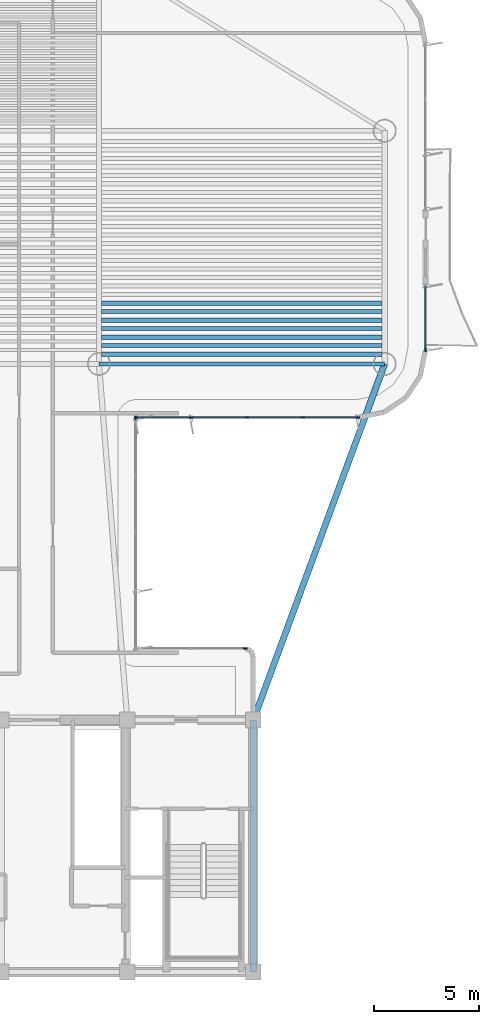
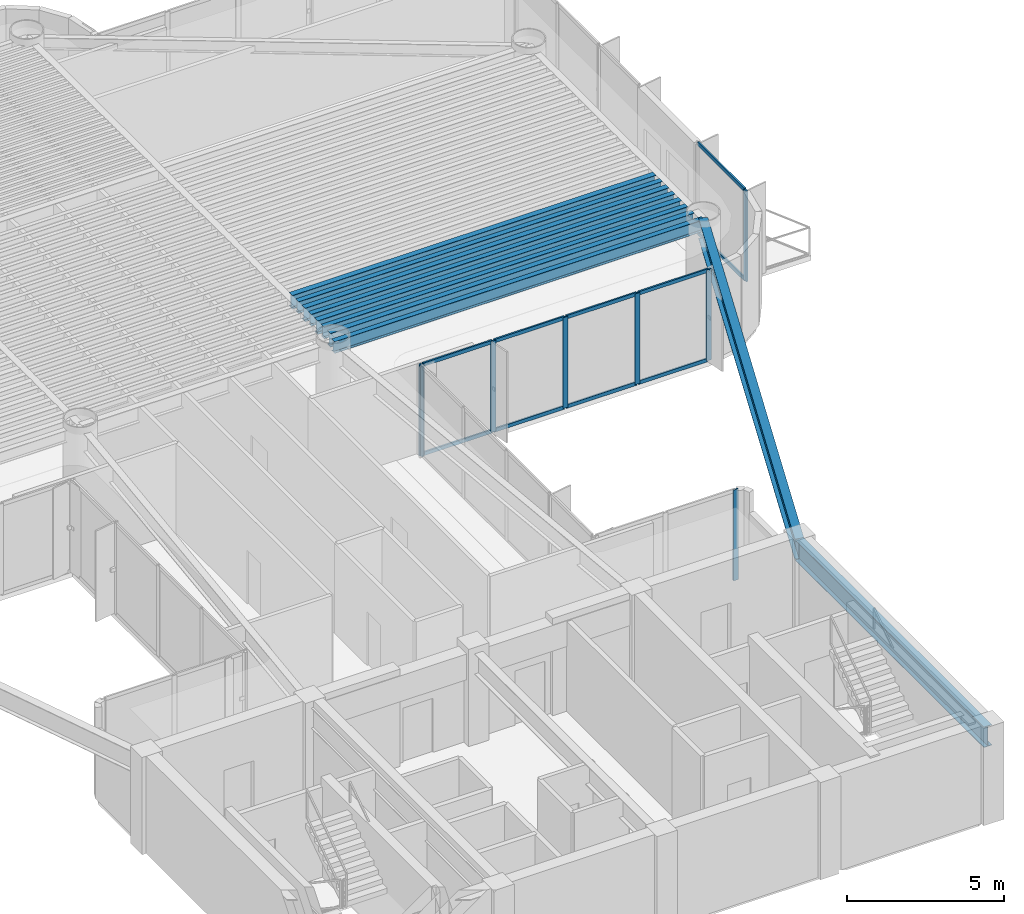
# One storey, part 4 of 13: 18 members, 10 beams, 4 elements without a shape of their own.
"""IFC4 building model written with IfcOpenShell, lengths in metres."""

from ifc_helpers import new_model, si_unit, direction, frame, origin, origin_2d, place, context, subcontext, project, spatial, rectangle, i_section, extrude, source, transform, mapped, material, layer, layer_set, material_profile, profile_set, type_object, element, aggregate, save


model = new_model("IFC4")

# Units and contexts
model_context = context("Model", 3, precision=1e-05, world=origin(), true_north=direction((0.0, 1.0)))
body_context = subcontext(model_context, "Body", "Model", "MODEL_VIEW")
ifc_project = project(units=[si_unit("LENGTHUNIT", "METRE"), si_unit("AREAUNIT", "SQUARE_METRE"), si_unit("VOLUMEUNIT", "CUBIC_METRE"), si_unit("PLANEANGLEUNIT", "RADIAN"), si_unit("MASSUNIT", "GRAM", prefix="KILO")], contexts=[model_context])

# Site, building, storey
site_placement = place(None, origin())
site = spatial("IfcSite", under=ifc_project, at=site_placement, CompositionType="ELEMENT")
building_placement = place(site_placement, origin())
building = spatial("IfcBuilding", under=site, at=building_placement, Name="Brelvock Crest Care Tower", CompositionType="ELEMENT")
storey_placement = place(building_placement, frame((0.0, 0.0, 190.43994140625)))
storey = spatial("IfcBuildingStorey", under=building, at=storey_placement, Name="L48", CompositionType="ELEMENT", Elevation=190.43994140625)

# Beams
ifc_material_1 = material(Name="Steel Grade 350", Category="steel")
ifc_material_profile_1 = material_profile(ifc_material_1, i_section(OverallWidth=0.300048828125, OverallDepth=0.800048828125, WebThickness=0.013916015625, FlangeThickness=0.02197265625, at=origin_2d()), Name="800WB192")
ifc_profile_set_1 = profile_set([ifc_material_profile_1], Name="Steel Grade 350")
beam_type_1 = type_object("IfcBeamType", Name="BM-G5", PredefinedType="BEAM", material=ifc_profile_set_1)
shared_shape_1 = source(origin(), body_context, "Body", "SweptSolid", [
    extrude(i_section(OverallWidth=0.300048828125, OverallDepth=0.800048828125, WebThickness=0.013916015625, FlangeThickness=0.02197265625, at=origin_2d()), origin(), (0.0, 0.0, 1.0), 12.0),
])
beam_1_placement = place(storey_placement, frame((48.0, 6.0, 3.130126953125), z_axis=(0.0, 1.0, 0.0), x_axis=(-1.0, 0.0, 0.0)))
element("IfcBeam", 1, at=beam_1_placement, inside=storey, type_object=beam_type_1, Name="BM-COREX-L48-5", PredefinedType="BEAM", context=body_context, shape_type="MappedRepresentation", body=[
    mapped(shared_shape_1, transform((0.0, 0.0, 0.0), x_axis=(1.0, 0.0, 0.0), y_axis=(0.0, 1.0, 0.0), z_axis=(0.0, 0.0, 1.0), scale=1.0)),
])
ifc_material_profile_2 = material_profile(ifc_material_1, i_section(OverallWidth=0.208984375, OverallDepth=0.532958984375, WebThickness=0.01025390625, FlangeThickness=0.015625, FilletRadius=0.013916015625, at=origin_2d()), Name="530UB92.4")
ifc_profile_set_2 = profile_set([ifc_material_profile_2], Name="Steel Grade 350")
beam_type_2 = type_object("IfcBeamType", Name="BM-G2", PredefinedType="BEAM", material=ifc_profile_set_2)
shared_shape_2 = source(origin(), body_context, "Body", "SweptSolid", [
    extrude(i_section(OverallWidth=0.208984375, OverallDepth=0.532958984375, WebThickness=0.01025390625, FlangeThickness=0.015625, FilletRadius=0.013916015625, at=origin_2d()), origin(), (0.0, 0.0, 1.0), 13.3701171875),
])
for number, where, z_axis, x_axis, name in (
    (2, (40.764892578125, 35.416259765625, 3.263671875), (1.0, 0.0, 0.0), (0.0, 1.0, 0.0), "BM-JE-L48-1"),
    (3, (40.764892578125, 36.2265625, 3.263671875), (1.0, 0.0, 0.0), (0.0, 1.0, 0.0), "BM-JE-L48-3"),
    (4, (40.764892578125, 37.036865234375, 3.263671875), (1.0, 0.0, 0.0), (0.0, 1.0, 0.0), "BM-JE-L48-5"),
    (5, (40.764892578125, 37.84716796875, 3.263671875), (1.0, 0.0, 0.0), (0.0, 1.0, 0.0), "BM-JE-L48-7"),
):
    element("IfcBeam", number, at=place(storey_placement, frame(where, z_axis=z_axis, x_axis=x_axis)), inside=storey, type_object=beam_type_2, Name=name, PredefinedType="BEAM", context=body_context, shape_type="MappedRepresentation", body=[
        mapped(shared_shape_2, transform((0.0, 0.0, 0.0), x_axis=(1.0, 0.0, 0.0), y_axis=(0.0, 1.0, 0.0), z_axis=(0.0, 0.0, 1.0), scale=1.0)),
    ])
ifc_material_profile_3 = material_profile(ifc_material_1, i_section(OverallWidth=0.19091796875, OverallDepth=0.4599609375, WebThickness=0.010009765625, FlangeThickness=0.01611328125, FilletRadius=0.011474609375, at=origin_2d()), Name="460UB82.1")
ifc_profile_set_3 = profile_set([ifc_material_profile_3], Name="Steel Grade 350")
beam_type_3 = type_object("IfcBeamType", Name="BM-G3", PredefinedType="BEAM", material=ifc_profile_set_3)
shared_shape_3 = source(origin(), body_context, "Body", "SweptSolid", [
    extrude(i_section(OverallWidth=0.19091796875, OverallDepth=0.4599609375, WebThickness=0.010009765625, FlangeThickness=0.01611328125, FilletRadius=0.011474609375, at=origin_2d()), origin(), (0.0, 0.0, 1.0), 13.3701171875),
])
for number, where, z_axis, x_axis, name in (
    (6, (40.764892578125, 35.8212890625, 3.300048828125), (1.0, 0.0, 0.0), (0.0, 1.0, 0.0), "BM-JE-L48-2"),
    (7, (40.764892578125, 36.631591796875, 3.300048828125), (1.0, 0.0, 0.0), (0.0, 1.0, 0.0), "BM-JE-L48-4"),
    (8, (40.764892578125, 37.44189453125, 3.300048828125), (1.0, 0.0, 0.0), (0.0, 1.0, 0.0), "BM-JE-L48-6"),
):
    element("IfcBeam", number, at=place(storey_placement, frame(where, z_axis=z_axis, x_axis=x_axis)), inside=storey, type_object=beam_type_3, Name=name, PredefinedType="BEAM", context=body_context, shape_type="MappedRepresentation", body=[
        mapped(shared_shape_3, transform((0.0, 0.0, 0.0), x_axis=(1.0, 0.0, 0.0), y_axis=(0.0, 1.0, 0.0), z_axis=(0.0, 0.0, 1.0), scale=1.0)),
    ])
ifc_material_profile_4 = material_profile(ifc_material_1, i_section(OverallWidth=0.19091796875, OverallDepth=0.4599609375, WebThickness=0.010009765625, FlangeThickness=0.01611328125, FilletRadius=0.011474609375, at=origin_2d()), Name="460UB82.1")
ifc_profile_set_4 = profile_set([ifc_material_profile_4], Name="Steel Grade 350")
beam_type_4 = type_object("IfcBeamType", Name="BM-SP2", PredefinedType="SPANDREL", material=ifc_profile_set_4)
shared_shape_4 = source(origin(), body_context, "Body", "SweptSolid", [
    extrude(i_section(OverallWidth=0.19091796875, OverallDepth=0.4599609375, WebThickness=0.010009765625, FlangeThickness=0.01611328125, FilletRadius=0.011474609375, at=origin_2d()), origin(), (0.0, 0.0, 1.0), 13.60009765625),
])
beam_2_placement = place(storey_placement, frame((40.64990234375, 34.949951171875, 3.300048828125), z_axis=(1.0, 0.0, 0.0), x_axis=(0.0, 1.0, 0.0)))
element("IfcBeam", 9, at=beam_2_placement, inside=storey, type_object=beam_type_4, Name="BM-TWR-L48-04", PredefinedType="SPANDREL", context=body_context, shape_type="MappedRepresentation", body=[
    mapped(shared_shape_4, transform((0.0, 0.0, 0.0), x_axis=(1.0, 0.0, 0.0), y_axis=(0.0, 1.0, 0.0), z_axis=(0.0, 0.0, 1.0), scale=1.0)),
])
shared_shape_5 = source(origin(), body_context, "Body", "SweptSolid", [
    extrude(i_section(OverallWidth=0.300048828125, OverallDepth=0.800048828125, WebThickness=0.013916015625, FlangeThickness=0.02197265625, at=origin_2d()), origin(), (0.0, 0.0, 1.0), 18.0654296875),
])
beam_3_placement = place(storey_placement, frame((48.0, 18.0, 3.130126953125), z_axis=(0.345962741309, 0.938248251597, 0.0), x_axis=(-0.938248251597, 0.345962741309, 0.0)))
element("IfcBeam", 10, at=beam_3_placement, inside=storey, type_object=beam_type_1, Name="BM-THRO-E-L48", PredefinedType="BEAM", context=body_context, shape_type="MappedRepresentation", body=[
    mapped(shared_shape_5, transform((0.0, 0.0, 0.0), x_axis=(1.0, 0.0, 0.0), y_axis=(0.0, 1.0, 0.0), z_axis=(0.0, 0.0, 1.0), scale=1.0)),
])

# Curtain wall, member
ifc_material_2 = material(Name="Dark Glass Double Glazed Low-E", Category="glass")
ifc_layer = layer(ifc_material_2, 0.22509765625, Name="CWS-4")
ifc_layer_set = layer_set([ifc_layer], Name="Dark Glass Double Glazed Low-E")
curtain_wall_type = type_object("IfcCurtainWallType", Name="CWS-4", PredefinedType="NOTDEFINED", material=ifc_layer_set)
curtain_wall_1_placement = place(storey_placement, origin())
curtain_wall_1 = element("IfcCurtainWall", 11, at=curtain_wall_1_placement, inside=storey, type_object=curtain_wall_type, Name="L48 Curtain Wall E39B", PredefinedType="NOTDEFINED")
ifc_material_3 = material(Name="Aluminium 6063-T6", Category="aluminium")
ifc_material_profile_5 = material_profile(ifc_material_3, rectangle(XDim=0.06005859375, YDim=0.179931640625, at=origin_2d()), Name="ALU60x180")
ifc_profile_set_5 = profile_set([ifc_material_profile_5], Name="Aluminium 6063-T6")
member_type_1 = type_object("IfcMemberType", Name="CWM-2", PredefinedType="MULLION", material=ifc_profile_set_5)
shared_shape_6 = source(origin(), body_context, "Body", "SweptSolid", [
    extrude(rectangle(XDim=0.06005859375, YDim=0.179931640625, at=origin_2d()), origin(), (0.0, 0.0, 1.0), 3.530029296875),
])
member_1_placement = place(storey_placement, frame((56.199951171875, 35.6298828125, 0.0), z_axis=(0.0, 0.0, 1.0), x_axis=(1.0, 0.0, 0.0)))
member_1 = element("IfcMember", 12, at=member_1_placement, type_object=member_type_1, Name="CW-4 mullion 2", PredefinedType="MULLION", context=body_context, shape_type="MappedRepresentation", body=[
    mapped(shared_shape_6, transform((0.0, 0.0, 0.0), x_axis=(1.0, 0.0, 0.0), y_axis=(0.0, 1.0, 0.0), z_axis=(0.0, 0.0, 1.0), scale=1.0)),
])

# Curtain wall, members
curtain_wall_2_placement = place(storey_placement, origin())
curtain_wall_2 = element("IfcCurtainWall", 13, at=curtain_wall_2_placement, inside=storey, type_object=curtain_wall_type, Name="L48 Curtain Wall E44", PredefinedType="NOTDEFINED")
member_2_placement = place(storey_placement, frame((52.969970703125, 32.39990234375, 0.0), z_axis=(0.0, 0.0, 1.0), x_axis=(0.0, -1.0, 0.0)))
member_2 = element("IfcMember", 14, at=member_2_placement, type_object=member_type_1, Name="CW-4 mullion 1", PredefinedType="MULLION", context=body_context, shape_type="MappedRepresentation", body=[
    mapped(shared_shape_6, transform((0.0, 0.0, 0.0), x_axis=(1.0, 0.0, 0.0), y_axis=(0.0, 1.0, 0.0), z_axis=(0.0, 0.0, 1.0), scale=1.0)),
])
member_3_placement = place(storey_placement, frame((50.35009765625, 32.39990234375, 0.0), z_axis=(0.0, 0.0, 1.0), x_axis=(0.0, -1.0, 0.0)))
member_3 = element("IfcMember", 15, at=member_3_placement, type_object=member_type_1, Name="CW-4 mullion 2", PredefinedType="MULLION", context=body_context, shape_type="MappedRepresentation", body=[
    mapped(shared_shape_6, transform((0.0, 0.0, 0.0), x_axis=(1.0, 0.0, 0.0), y_axis=(0.0, 1.0, 0.0), z_axis=(0.0, 0.0, 1.0), scale=1.0)),
])
member_4_placement = place(storey_placement, frame((47.699951171875, 32.39990234375, 0.0), z_axis=(0.0, 0.0, 1.0), x_axis=(0.0, -1.0, 0.0)))
member_4 = element("IfcMember", 16, at=member_4_placement, type_object=member_type_1, Name="CW-4 mullion 3", PredefinedType="MULLION", context=body_context, shape_type="MappedRepresentation", body=[
    mapped(shared_shape_6, transform((0.0, 0.0, 0.0), x_axis=(1.0, 0.0, 0.0), y_axis=(0.0, 1.0, 0.0), z_axis=(0.0, 0.0, 1.0), scale=1.0)),
])
member_5_placement = place(storey_placement, frame((45.050048828125, 32.39990234375, 0.0), z_axis=(0.0, 0.0, 1.0), x_axis=(0.0, -1.0, 0.0)))
member_5 = element("IfcMember", 17, at=member_5_placement, type_object=member_type_1, Name="CW-4 mullion 4", PredefinedType="MULLION", context=body_context, shape_type="MappedRepresentation", body=[
    mapped(shared_shape_6, transform((0.0, 0.0, 0.0), x_axis=(1.0, 0.0, 0.0), y_axis=(0.0, 1.0, 0.0), z_axis=(0.0, 0.0, 1.0), scale=1.0)),
])
member_6_placement = place(storey_placement, frame((42.429931640625, 32.39990234375, 0.0), z_axis=(0.0, 0.0, 1.0), x_axis=(0.0, -1.0, 0.0)))
member_6 = element("IfcMember", 18, at=member_6_placement, type_object=member_type_1, Name="CW-4 mullion 5", PredefinedType="MULLION", context=body_context, shape_type="MappedRepresentation", body=[
    mapped(shared_shape_6, transform((0.0, 0.0, 0.0), x_axis=(1.0, 0.0, 0.0), y_axis=(0.0, 1.0, 0.0), z_axis=(0.0, 0.0, 1.0), scale=1.0)),
])

# Curtain wall, member
curtain_wall_3_placement = place(storey_placement, origin())
curtain_wall_3 = element("IfcCurtainWall", 19, at=curtain_wall_3_placement, inside=storey, type_object=curtain_wall_type, Name="L48 Curtain Wall E45", PredefinedType="NOTDEFINED")
member_7_placement = place(storey_placement, frame((42.39990234375, 32.3701171875, 0.0), z_axis=(0.0, 0.0, 1.0), x_axis=(1.0, 0.0, 0.0)))
member_7 = element("IfcMember", 20, at=member_7_placement, type_object=member_type_1, Name="CW-4 mullion 1", PredefinedType="MULLION", context=body_context, shape_type="MappedRepresentation", body=[
    mapped(shared_shape_6, transform((0.0, 0.0, 0.0), x_axis=(1.0, 0.0, 0.0), y_axis=(0.0, 1.0, 0.0), z_axis=(0.0, 0.0, 1.0), scale=1.0)),
])
aggregate(curtain_wall_3, [member_7])

curtain_wall_4_placement = place(storey_placement, origin())
curtain_wall_4 = element("IfcCurtainWall", 21, at=curtain_wall_4_placement, inside=storey, type_object=curtain_wall_type, Name="L48 Curtain Wall E46", PredefinedType="NOTDEFINED")
member_8_placement = place(storey_placement, frame((47.6201171875, 21.39990234375, 0.0), z_axis=(0.0, 0.0, 1.0), x_axis=(0.0, 1.0, 0.0)))
member_8 = element("IfcMember", 22, at=member_8_placement, type_object=member_type_1, Name="CW-4 mullion 3", PredefinedType="MULLION", context=body_context, shape_type="MappedRepresentation", body=[
    mapped(shared_shape_6, transform((0.0, 0.0, 0.0), x_axis=(1.0, 0.0, 0.0), y_axis=(0.0, 1.0, 0.0), z_axis=(0.0, 0.0, 1.0), scale=1.0)),
])
aggregate(curtain_wall_4, [member_8])

# Member
ifc_material_profile_6 = material_profile(ifc_material_3, rectangle(XDim=0.06005859375, YDim=0.139892578125, at=origin_2d()), Name="ALU60x140")
ifc_profile_set_6 = profile_set([ifc_material_profile_6], Name="Aluminium 6063-T6")
member_type_2 = type_object("IfcMemberType", Name="CWT-2", PredefinedType="USERDEFINED", material=ifc_profile_set_6)
shared_shape_7 = source(origin(), body_context, "Body", "SweptSolid", [
    extrude(rectangle(XDim=0.06005859375, YDim=0.139892578125, at=origin_2d()), origin(), (0.0, 0.0, 1.0), 2.56005859375),
])
member_9_placement = place(storey_placement, frame((52.93994140625, 32.39990234375, 0.030029296875), z_axis=(-1.0, 0.0, 0.0), x_axis=(0.0, -1.0, 0.0)))
member_9 = element("IfcMember", 23, at=member_9_placement, type_object=member_type_2, Name="CW-4 transom 1.1", ObjectType="TRANSOM", PredefinedType="USERDEFINED", context=body_context, shape_type="MappedRepresentation", body=[
    mapped(shared_shape_7, transform((0.0, 0.0, 0.0), x_axis=(1.0, 0.0, 0.0), y_axis=(0.0, 1.0, 0.0), z_axis=(0.0, 0.0, 1.0), scale=1.0)),
])

member_10_placement = place(storey_placement, frame((52.93994140625, 32.39990234375, 3.5), z_axis=(-1.0, 0.0, 0.0), x_axis=(0.0, -1.0, 0.0)))
member_10 = element("IfcMember", 24, at=member_10_placement, type_object=member_type_2, Name="CW-4 transom 1.2", ObjectType="TRANSOM", PredefinedType="USERDEFINED", context=body_context, shape_type="MappedRepresentation", body=[
    mapped(shared_shape_7, transform((0.0, 0.0, 0.0), x_axis=(1.0, 0.0, 0.0), y_axis=(0.0, 1.0, 0.0), z_axis=(0.0, 0.0, 1.0), scale=1.0)),
])

member_11_placement = place(storey_placement, frame((45.02001953125, 32.39990234375, 0.030029296875), z_axis=(-1.0, 0.0, 0.0), x_axis=(0.0, -1.0, 0.0)))
member_11 = element("IfcMember", 25, at=member_11_placement, type_object=member_type_2, Name="CW-4 transom 4.1", ObjectType="TRANSOM", PredefinedType="USERDEFINED", context=body_context, shape_type="MappedRepresentation", body=[
    mapped(shared_shape_7, transform((0.0, 0.0, 0.0), x_axis=(1.0, 0.0, 0.0), y_axis=(0.0, 1.0, 0.0), z_axis=(0.0, 0.0, 1.0), scale=1.0)),
])

member_12_placement = place(storey_placement, frame((45.02001953125, 32.39990234375, 3.5), z_axis=(-1.0, 0.0, 0.0), x_axis=(0.0, -1.0, 0.0)))
member_12 = element("IfcMember", 26, at=member_12_placement, type_object=member_type_2, Name="CW-4 transom 4.2", ObjectType="TRANSOM", PredefinedType="USERDEFINED", context=body_context, shape_type="MappedRepresentation", body=[
    mapped(shared_shape_7, transform((0.0, 0.0, 0.0), x_axis=(1.0, 0.0, 0.0), y_axis=(0.0, 1.0, 0.0), z_axis=(0.0, 0.0, 1.0), scale=1.0)),
])

shared_shape_8 = source(origin(), body_context, "Body", "SweptSolid", [
    extrude(rectangle(XDim=0.06005859375, YDim=0.139892578125, at=origin_2d()), origin(), (0.0, 0.0, 1.0), 2.58984375),
])
member_13_placement = place(storey_placement, frame((47.669921875, 32.39990234375, 0.030029296875), z_axis=(-1.0, 0.0, 0.0), x_axis=(0.0, -1.0, 0.0)))
member_13 = element("IfcMember", 27, at=member_13_placement, type_object=member_type_2, Name="CW-4 transom 3.1", ObjectType="TRANSOM", PredefinedType="USERDEFINED", context=body_context, shape_type="MappedRepresentation", body=[
    mapped(shared_shape_8, transform((0.0, 0.0, 0.0), x_axis=(1.0, 0.0, 0.0), y_axis=(0.0, 1.0, 0.0), z_axis=(0.0, 0.0, 1.0), scale=1.0)),
])

member_14_placement = place(storey_placement, frame((47.669921875, 32.39990234375, 3.5), z_axis=(-1.0, 0.0, 0.0), x_axis=(0.0, -1.0, 0.0)))
member_14 = element("IfcMember", 28, at=member_14_placement, type_object=member_type_2, Name="CW-4 transom 3.2", ObjectType="TRANSOM", PredefinedType="USERDEFINED", context=body_context, shape_type="MappedRepresentation", body=[
    mapped(shared_shape_8, transform((0.0, 0.0, 0.0), x_axis=(1.0, 0.0, 0.0), y_axis=(0.0, 1.0, 0.0), z_axis=(0.0, 0.0, 1.0), scale=1.0)),
])

shared_shape_9 = source(origin(), body_context, "Body", "SweptSolid", [
    extrude(rectangle(XDim=0.06005859375, YDim=0.139892578125, at=origin_2d()), origin(), (0.0, 0.0, 1.0), 2.590087890625),
])
member_15_placement = place(storey_placement, frame((50.320068359375, 32.39990234375, 0.030029296875), z_axis=(-1.0, 0.0, 0.0), x_axis=(0.0, -1.0, 0.0)))
member_15 = element("IfcMember", 29, at=member_15_placement, type_object=member_type_2, Name="CW-4 transom 2.1", ObjectType="TRANSOM", PredefinedType="USERDEFINED", context=body_context, shape_type="MappedRepresentation", body=[
    mapped(shared_shape_9, transform((0.0, 0.0, 0.0), x_axis=(1.0, 0.0, 0.0), y_axis=(0.0, 1.0, 0.0), z_axis=(0.0, 0.0, 1.0), scale=1.0)),
])

member_16_placement = place(storey_placement, frame((50.320068359375, 32.39990234375, 3.5), z_axis=(-1.0, 0.0, 0.0), x_axis=(0.0, -1.0, 0.0)))
member_16 = element("IfcMember", 30, at=member_16_placement, type_object=member_type_2, Name="CW-4 transom 2.2", ObjectType="TRANSOM", PredefinedType="USERDEFINED", context=body_context, shape_type="MappedRepresentation", body=[
    mapped(shared_shape_9, transform((0.0, 0.0, 0.0), x_axis=(1.0, 0.0, 0.0), y_axis=(0.0, 1.0, 0.0), z_axis=(0.0, 0.0, 1.0), scale=1.0)),
])

aggregate(curtain_wall_2, [member_2, member_3, member_4, member_5, member_6, member_9, member_10, member_15, member_16, member_13, member_14, member_11, member_12])

shared_shape_10 = source(origin(), body_context, "Body", "SweptSolid", [
    extrude(rectangle(XDim=0.06005859375, YDim=0.139892578125, at=origin_2d()), origin(), (0.0, 0.0, 1.0), 2.97998046875),
])
member_17_placement = place(storey_placement, frame((56.199951171875, 38.639892578125, 0.030029296875), z_axis=(0.0, -1.0, 0.0), x_axis=(1.0, 0.0, 0.0)))
member_17 = element("IfcMember", 31, at=member_17_placement, type_object=member_type_2, Name="CW-4 transom 1.1", ObjectType="TRANSOM", PredefinedType="USERDEFINED", context=body_context, shape_type="MappedRepresentation", body=[
    mapped(shared_shape_10, transform((0.0, 0.0, 0.0), x_axis=(1.0, 0.0, 0.0), y_axis=(0.0, 1.0, 0.0), z_axis=(0.0, 0.0, 1.0), scale=1.0)),
])

member_18_placement = place(storey_placement, frame((56.199951171875, 38.639892578125, 3.5), z_axis=(0.0, -1.0, 0.0), x_axis=(1.0, 0.0, 0.0)))
member_18 = element("IfcMember", 32, at=member_18_placement, type_object=member_type_2, Name="CW-4 transom 1.2", ObjectType="TRANSOM", PredefinedType="USERDEFINED", context=body_context, shape_type="MappedRepresentation", body=[
    mapped(shared_shape_10, transform((0.0, 0.0, 0.0), x_axis=(1.0, 0.0, 0.0), y_axis=(0.0, 1.0, 0.0), z_axis=(0.0, 0.0, 1.0), scale=1.0)),
])

aggregate(curtain_wall_1, [member_1, member_17, member_18])

save(model, "model.ifc")
